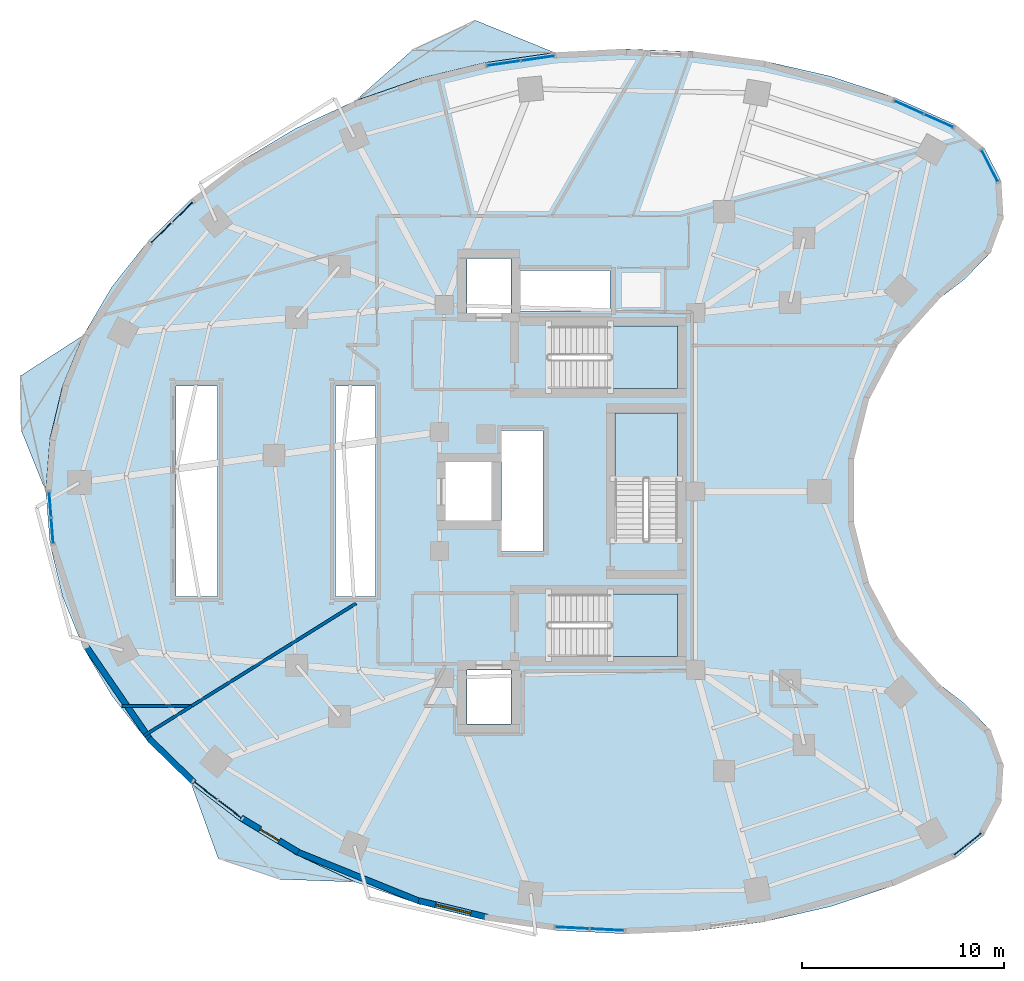
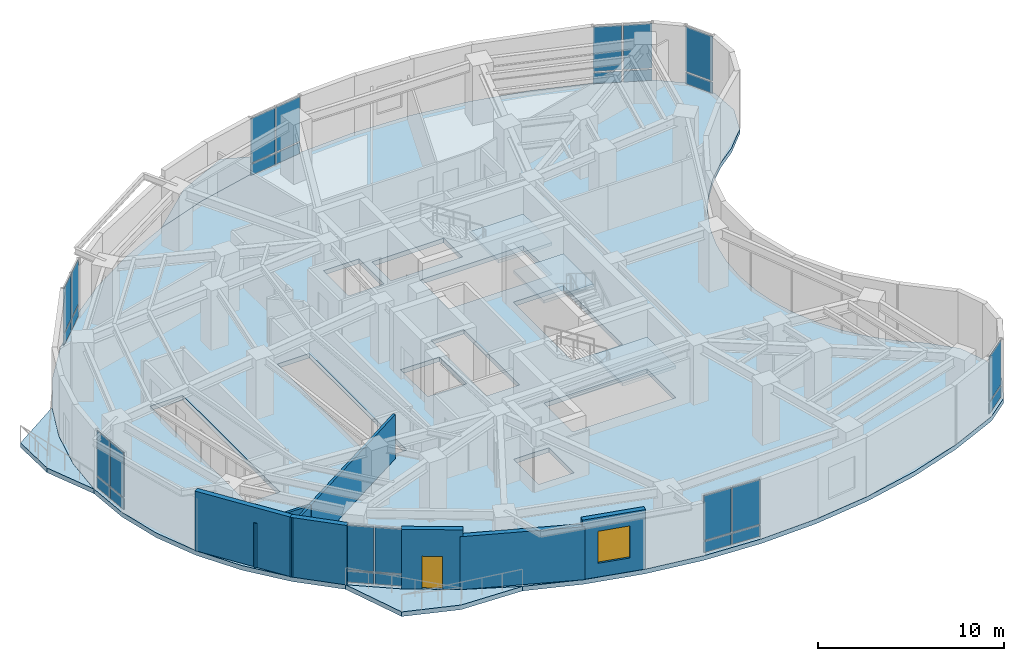
# One storey, part 7 of 12: 28 plates, 8 walls, 7 slabs, 1 door, 1 window, 2 openings, 11 elements without a shape of their own.
"""IFC4 building model written with IfcOpenShell, lengths in metres."""

from ifc_helpers import new_model, si_unit, direction, frame, frame_2d, origin, origin_2d, place, context, subcontext, project, spatial, polyline, rectangle, outline, extrude, material, layer, layer_set, type_object, element, fill, aggregate, save


model = new_model("IFC4")

# Units and contexts
model_context = context("Model", 3, precision=1e-05, world=origin(), true_north=direction((0.0, 1.0)))
body_context = subcontext(model_context, "Body", "Model", "MODEL_VIEW")
ifc_project = project(units=[si_unit("LENGTHUNIT", "METRE"), si_unit("AREAUNIT", "SQUARE_METRE"), si_unit("VOLUMEUNIT", "CUBIC_METRE"), si_unit("PLANEANGLEUNIT", "RADIAN"), si_unit("MASSUNIT", "GRAM", prefix="KILO")], contexts=[model_context])

# Site, building, storey
site_placement = place(None, origin())
site = spatial("IfcSite", under=ifc_project, at=site_placement, CompositionType="ELEMENT")
building_placement = place(site_placement, origin())
building = spatial("IfcBuilding", under=site, at=building_placement, Name="Korentha Bioscience Tower", CompositionType="ELEMENT")
storey_placement = place(building_placement, frame((0.0, 0.0, 136.199951171875)))
storey = spatial("IfcBuildingStorey", under=building, at=storey_placement, Name="L31", CompositionType="ELEMENT", Elevation=136.199951171875)

# Curtain wall, plates
ifc_material_1 = material(Name="Thermally Broken Aluminium Frame", Category="aluminium")
ifc_layer_1 = layer(ifc_material_1, 0.219970703125, Name="Thermally Broken Aluminium Frame")
ifc_layer_set_1 = layer_set([ifc_layer_1], Name="Thermally Broken Aluminium Frame (CW-T1)")
curtain_wall_type = type_object("IfcCurtainWallType", Name="Standard Bioscience Lab Unitised Curtain Wall CW-T1", PredefinedType="USERDEFINED", material=ifc_layer_set_1)
curtain_wall_1_placement = place(storey_placement, origin())
curtain_wall_1 = element("IfcCurtainWall", 1, at=curtain_wall_1_placement, inside=storey, type_object=curtain_wall_type, Name="L31 Curtain Wall 01", ObjectType="UNITISED", PredefinedType="USERDEFINED")
ifc_material_2 = material(Name="Triple-Glazed Low-E Insulated Glass", Category="glass")
ifc_layer_2 = layer(ifc_material_2, 0.0439453125, Name="Triple-Glazed Low-E Insulated Glass")
ifc_layer_set_2 = layer_set([ifc_layer_2], Name="Triple-Glazed Low-E Insulated Glass (GL-44)")
plate_type = type_object("IfcPlateType", Name="Glazed Panel 44mm", PredefinedType="CURTAIN_PANEL", material=ifc_layer_set_2)
plate_1_placement = place(storey_placement, frame((49.61767578125, 45.385986328125, 0.08984375), z_axis=(0.0, 0.0, 1.0), x_axis=(-0.912686563127, 0.408660295952, 0.0)))
plate_1 = element("IfcPlate", 2, at=plate_1_placement, type_object=plate_type, Name="CW-L31-01 Bay 1 Glazed Panel 1", PredefinedType="CURTAIN_PANEL", context=body_context, shape_type="SweptSolid", body=[
    extrude(rectangle(XDim=1.54541015625, YDim=0.0439453125, at=origin_2d()), origin(), (0.0, 0.0, 1.0), 0.715087890625),
])
plate_2_placement = place(storey_placement, frame((49.61767578125, 45.385986328125, 0.89501953125), z_axis=(0.0, 0.0, 1.0), x_axis=(-0.912686563127, 0.408660295952, 0.0)))
plate_2 = element("IfcPlate", 3, at=plate_2_placement, type_object=plate_type, Name="CW-L31-01 Bay 1 Glazed Panel 2", PredefinedType="CURTAIN_PANEL", context=body_context, shape_type="SweptSolid", body=[
    extrude(rectangle(XDim=1.54541015625, YDim=0.0439453125, at=origin_2d()), origin(), (0.0, 0.0, 1.0), 2.9150390625),
])
plate_3_placement = place(storey_placement, frame((48.125, 46.05419921875, 0.08984375), z_axis=(0.0, 0.0, 1.0), x_axis=(-0.912686563127, 0.408660295952, 0.0)))
plate_3 = element("IfcPlate", 4, at=plate_3_placement, type_object=plate_type, Name="CW-L31-01 Bay 2 Glazed Panel 1", PredefinedType="CURTAIN_PANEL", context=body_context, shape_type="SweptSolid", body=[
    extrude(rectangle(XDim=1.54541015625, YDim=0.0439453125, at=origin_2d()), origin(), (0.0, 0.0, 1.0), 0.715087890625),
])
plate_4_placement = place(storey_placement, frame((48.125, 46.05419921875, 0.89501953125), z_axis=(0.0, 0.0, 1.0), x_axis=(-0.912686563127, 0.408660295952, 0.0)))
plate_4 = element("IfcPlate", 5, at=plate_4_placement, type_object=plate_type, Name="CW-L31-01 Bay 2 Glazed Panel 2", PredefinedType="CURTAIN_PANEL", context=body_context, shape_type="SweptSolid", body=[
    extrude(rectangle(XDim=1.54541015625, YDim=0.0439453125, at=origin_2d()), origin(), (0.0, 0.0, 1.0), 2.9150390625),
])
aggregate(curtain_wall_1, [plate_1, plate_2, plate_3, plate_4])

curtain_wall_2_placement = place(storey_placement, origin())
curtain_wall_2 = element("IfcCurtainWall", 6, at=curtain_wall_2_placement, inside=storey, type_object=curtain_wall_type, Name="L31 Curtain Wall 07", ObjectType="UNITISED", PredefinedType="USERDEFINED")
plate_5_placement = place(storey_placement, frame((29.724853515625, 48.486328125, 0.08984375), z_axis=(0.0, 0.0, 1.0), x_axis=(-0.989738282326, -0.14289203091, 0.0)))
plate_5 = element("IfcPlate", 7, at=plate_5_placement, type_object=plate_type, Name="CW-L31-07 Bay 1 Glazed Panel 1", PredefinedType="CURTAIN_PANEL", context=body_context, shape_type="SweptSolid", body=[
    extrude(rectangle(XDim=1.630615234375, YDim=0.0439453125, at=origin_2d()), origin(), (0.0, 0.0, 1.0), 0.715087890625),
])
plate_6_placement = place(storey_placement, frame((29.724853515625, 48.486328125, 0.89501953125), z_axis=(0.0, 0.0, 1.0), x_axis=(-0.989738282326, -0.14289203091, 0.0)))
plate_6 = element("IfcPlate", 8, at=plate_6_placement, type_object=plate_type, Name="CW-L31-07 Bay 1 Glazed Panel 2", PredefinedType="CURTAIN_PANEL", context=body_context, shape_type="SweptSolid", body=[
    extrude(rectangle(XDim=1.630615234375, YDim=0.0439453125, at=origin_2d()), origin(), (0.0, 0.0, 1.0), 2.9150390625),
])
plate_7_placement = place(storey_placement, frame((28.021728515625, 48.240478515625, 0.08984375), z_axis=(0.0, 0.0, 1.0), x_axis=(-0.989738282326, -0.14289203091, 0.0)))
plate_7 = element("IfcPlate", 9, at=plate_7_placement, type_object=plate_type, Name="CW-L31-07 Bay 2 Glazed Panel 1", PredefinedType="CURTAIN_PANEL", context=body_context, shape_type="SweptSolid", body=[
    extrude(rectangle(XDim=1.630615234375, YDim=0.0439453125, at=origin_2d()), origin(), (0.0, 0.0, 1.0), 0.715087890625),
])
plate_8_placement = place(storey_placement, frame((28.021728515625, 48.240478515625, 0.89501953125), z_axis=(0.0, 0.0, 1.0), x_axis=(-0.989738282326, -0.14289203091, 0.0)))
plate_8 = element("IfcPlate", 10, at=plate_8_placement, type_object=plate_type, Name="CW-L31-07 Bay 2 Glazed Panel 2", PredefinedType="CURTAIN_PANEL", context=body_context, shape_type="SweptSolid", body=[
    extrude(rectangle(XDim=1.630615234375, YDim=0.0439453125, at=origin_2d()), origin(), (0.0, 0.0, 1.0), 2.9150390625),
])
aggregate(curtain_wall_2, [plate_5, plate_6, plate_7, plate_8])

curtain_wall_3_placement = place(storey_placement, origin())
curtain_wall_3 = element("IfcCurtainWall", 11, at=curtain_wall_3_placement, inside=storey, type_object=curtain_wall_type, Name="L31 Curtain Wall 13", ObjectType="UNITISED", PredefinedType="USERDEFINED")
plate_9_placement = place(storey_placement, frame((12.09912109375, 40.858642578125, 0.08984375), z_axis=(0.0, 0.0, 1.0), x_axis=(-0.716095631804, -0.698002182025, 0.0)))
plate_9 = element("IfcPlate", 12, at=plate_9_placement, type_object=plate_type, Name="CW-L31-13 Bay 1 Glazed Panel 1", PredefinedType="CURTAIN_PANEL", context=body_context, shape_type="SweptSolid", body=[
    extrude(rectangle(XDim=1.39599609375, YDim=0.0439453125, at=origin_2d()), origin(), (0.0, 0.0, 1.0), 0.715087890625),
])
plate_10_placement = place(storey_placement, frame((12.09912109375, 40.858642578125, 0.89501953125), z_axis=(0.0, 0.0, 1.0), x_axis=(-0.716095631804, -0.698002182025, 0.0)))
plate_10 = element("IfcPlate", 13, at=plate_10_placement, type_object=plate_type, Name="CW-L31-13 Bay 1 Glazed Panel 2", PredefinedType="CURTAIN_PANEL", context=body_context, shape_type="SweptSolid", body=[
    extrude(rectangle(XDim=1.39599609375, YDim=0.0439453125, at=origin_2d()), origin(), (0.0, 0.0, 1.0), 2.9150390625),
])
plate_11_placement = place(storey_placement, frame((11.034912109375, 39.8212890625, 0.08984375), z_axis=(0.0, 0.0, 1.0), x_axis=(-0.716095631804, -0.698002182025, 0.0)))
plate_11 = element("IfcPlate", 14, at=plate_11_placement, type_object=plate_type, Name="CW-L31-13 Bay 2 Glazed Panel 1", PredefinedType="CURTAIN_PANEL", context=body_context, shape_type="SweptSolid", body=[
    extrude(rectangle(XDim=1.39599609375, YDim=0.0439453125, at=origin_2d()), origin(), (0.0, 0.0, 1.0), 0.715087890625),
])
plate_12_placement = place(storey_placement, frame((11.034912109375, 39.8212890625, 0.89501953125), z_axis=(0.0, 0.0, 1.0), x_axis=(-0.716095631804, -0.698002182025, 0.0)))
plate_12 = element("IfcPlate", 15, at=plate_12_placement, type_object=plate_type, Name="CW-L31-13 Bay 2 Glazed Panel 2", PredefinedType="CURTAIN_PANEL", context=body_context, shape_type="SweptSolid", body=[
    extrude(rectangle(XDim=1.39599609375, YDim=0.0439453125, at=origin_2d()), origin(), (0.0, 0.0, 1.0), 2.9150390625),
])
aggregate(curtain_wall_3, [plate_9, plate_10, plate_11, plate_12])

curtain_wall_4_placement = place(storey_placement, origin())
curtain_wall_4 = element("IfcCurtainWall", 16, at=curtain_wall_4_placement, inside=storey, type_object=curtain_wall_type, Name="L31 Curtain Wall 19", ObjectType="UNITISED", PredefinedType="USERDEFINED")
plate_13_placement = place(storey_placement, frame((5.52587890625, 26.35205078125, 0.08984375), z_axis=(0.0, 0.0, 1.0), x_axis=(0.079130214674, -0.996864288219, 0.0)))
plate_13 = element("IfcPlate", 17, at=plate_13_placement, type_object=plate_type, Name="CW-L31-19 Bay 1 Glazed Panel 1", PredefinedType="CURTAIN_PANEL", context=body_context, shape_type="SweptSolid", body=[
    extrude(rectangle(XDim=1.225341796875, YDim=0.0439453125, at=origin_2d()), origin(), (0.0, 0.0, 1.0), 0.715087890625),
])
plate_14_placement = place(storey_placement, frame((5.52587890625, 26.35205078125, 0.89501953125), z_axis=(0.0, 0.0, 1.0), x_axis=(0.079130214674, -0.996864288219, 0.0)))
plate_14 = element("IfcPlate", 18, at=plate_14_placement, type_object=plate_type, Name="CW-L31-19 Bay 1 Glazed Panel 2", PredefinedType="CURTAIN_PANEL", context=body_context, shape_type="SweptSolid", body=[
    extrude(rectangle(XDim=1.225341796875, YDim=0.0439453125, at=origin_2d()), origin(), (0.0, 0.0, 1.0), 2.9150390625),
])
plate_15_placement = place(storey_placement, frame((5.6298828125, 25.040771484375, 0.08984375), z_axis=(0.0, 0.0, 1.0), x_axis=(0.079130214674, -0.996864288219, 0.0)))
plate_15 = element("IfcPlate", 19, at=plate_15_placement, type_object=plate_type, Name="CW-L31-19 Bay 2 Glazed Panel 1", PredefinedType="CURTAIN_PANEL", context=body_context, shape_type="SweptSolid", body=[
    extrude(rectangle(XDim=1.225341796875, YDim=0.0439453125, at=origin_2d()), origin(), (0.0, 0.0, 1.0), 0.715087890625),
])
plate_16_placement = place(storey_placement, frame((5.6298828125, 25.040771484375, 0.89501953125), z_axis=(0.0, 0.0, 1.0), x_axis=(0.079130214674, -0.996864288219, 0.0)))
plate_16 = element("IfcPlate", 20, at=plate_16_placement, type_object=plate_type, Name="CW-L31-19 Bay 2 Glazed Panel 2", PredefinedType="CURTAIN_PANEL", context=body_context, shape_type="SweptSolid", body=[
    extrude(rectangle(XDim=1.225341796875, YDim=0.0439453125, at=origin_2d()), origin(), (0.0, 0.0, 1.0), 2.9150390625),
])
aggregate(curtain_wall_4, [plate_13, plate_14, plate_15, plate_16])

curtain_wall_5_placement = place(storey_placement, origin())
curtain_wall_5 = element("IfcCurtainWall", 21, at=curtain_wall_5_placement, inside=storey, type_object=curtain_wall_type, Name="L31 Curtain Wall 25", ObjectType="UNITISED", PredefinedType="USERDEFINED")
plate_17_placement = place(storey_placement, frame((13.234619140625, 12.162353515625, 0.08984375), z_axis=(0.0, 0.0, 1.0), x_axis=(0.794499603893, -0.607264669986, 0.0)))
plate_17 = element("IfcPlate", 22, at=plate_17_placement, type_object=plate_type, Name="CW-L31-25 Bay 1 Glazed Panel 1", PredefinedType="CURTAIN_PANEL", context=body_context, shape_type="SweptSolid", body=[
    extrude(rectangle(XDim=1.4462890625, YDim=0.0439453125, at=origin_2d()), origin(), (0.0, 0.0, 1.0), 0.715087890625),
])
plate_18_placement = place(storey_placement, frame((13.234619140625, 12.162353515625, 0.89501953125), z_axis=(0.0, 0.0, 1.0), x_axis=(0.794499603893, -0.607264669986, 0.0)))
plate_18 = element("IfcPlate", 23, at=plate_18_placement, type_object=plate_type, Name="CW-L31-25 Bay 1 Glazed Panel 2", PredefinedType="CURTAIN_PANEL", context=body_context, shape_type="SweptSolid", body=[
    extrude(rectangle(XDim=1.4462890625, YDim=0.0439453125, at=origin_2d()), origin(), (0.0, 0.0, 1.0), 2.9150390625),
])
plate_19_placement = place(storey_placement, frame((14.455078125, 11.229248046875, 0.08984375), z_axis=(0.0, 0.0, 1.0), x_axis=(0.794499603893, -0.607264669986, 0.0)))
plate_19 = element("IfcPlate", 24, at=plate_19_placement, type_object=plate_type, Name="CW-L31-25 Bay 2 Glazed Panel 1", PredefinedType="CURTAIN_PANEL", context=body_context, shape_type="SweptSolid", body=[
    extrude(rectangle(XDim=1.4462890625, YDim=0.0439453125, at=origin_2d()), origin(), (0.0, 0.0, 1.0), 0.715087890625),
])
plate_20_placement = place(storey_placement, frame((14.455078125, 11.229248046875, 0.89501953125), z_axis=(0.0, 0.0, 1.0), x_axis=(0.794499603893, -0.607264669986, 0.0)))
plate_20 = element("IfcPlate", 25, at=plate_20_placement, type_object=plate_type, Name="CW-L31-25 Bay 2 Glazed Panel 2", PredefinedType="CURTAIN_PANEL", context=body_context, shape_type="SweptSolid", body=[
    extrude(rectangle(XDim=1.4462890625, YDim=0.0439453125, at=origin_2d()), origin(), (0.0, 0.0, 1.0), 2.9150390625),
])
aggregate(curtain_wall_5, [plate_17, plate_18, plate_19, plate_20])

curtain_wall_6_placement = place(storey_placement, origin())
curtain_wall_6 = element("IfcCurtainWall", 26, at=curtain_wall_6_placement, inside=storey, type_object=curtain_wall_type, Name="L31 Curtain Wall 31", ObjectType="UNITISED", PredefinedType="USERDEFINED")
plate_21_placement = place(storey_placement, frame((31.436279296875, 5.346435546875, 0.08984375), z_axis=(0.0, 0.0, 1.0), x_axis=(0.998673231344, -0.051495407527, 0.0)))
plate_21 = element("IfcPlate", 27, at=plate_21_placement, type_object=plate_type, Name="CW-L31-31 Bay 1 Glazed Panel 1", PredefinedType="CURTAIN_PANEL", context=body_context, shape_type="SweptSolid", body=[
    extrude(rectangle(XDim=1.641845703125, YDim=0.0439453125, at=origin_2d()), origin(), (0.0, 0.0, 1.0), 0.715087890625),
])
plate_22_placement = place(storey_placement, frame((31.436279296875, 5.346435546875, 0.89501953125), z_axis=(0.0, 0.0, 1.0), x_axis=(0.998673231344, -0.051495407527, 0.0)))
plate_22 = element("IfcPlate", 28, at=plate_22_placement, type_object=plate_type, Name="CW-L31-31 Bay 1 Glazed Panel 2", PredefinedType="CURTAIN_PANEL", context=body_context, shape_type="SweptSolid", body=[
    extrude(rectangle(XDim=1.641845703125, YDim=0.0439453125, at=origin_2d()), origin(), (0.0, 0.0, 1.0), 2.9150390625),
])
plate_23_placement = place(storey_placement, frame((33.166015625, 5.25732421875, 0.08984375), z_axis=(0.0, 0.0, 1.0), x_axis=(0.998673231344, -0.051495407527, 0.0)))
plate_23 = element("IfcPlate", 29, at=plate_23_placement, type_object=plate_type, Name="CW-L31-31 Bay 2 Glazed Panel 1", PredefinedType="CURTAIN_PANEL", context=body_context, shape_type="SweptSolid", body=[
    extrude(rectangle(XDim=1.641845703125, YDim=0.0439453125, at=origin_2d()), origin(), (0.0, 0.0, 1.0), 0.715087890625),
])
plate_24_placement = place(storey_placement, frame((33.166015625, 5.25732421875, 0.89501953125), z_axis=(0.0, 0.0, 1.0), x_axis=(0.998673231344, -0.051495407527, 0.0)))
plate_24 = element("IfcPlate", 30, at=plate_24_placement, type_object=plate_type, Name="CW-L31-31 Bay 2 Glazed Panel 2", PredefinedType="CURTAIN_PANEL", context=body_context, shape_type="SweptSolid", body=[
    extrude(rectangle(XDim=1.641845703125, YDim=0.0439453125, at=origin_2d()), origin(), (0.0, 0.0, 1.0), 2.9150390625),
])
aggregate(curtain_wall_6, [plate_21, plate_22, plate_23, plate_24])

curtain_wall_7_placement = place(storey_placement, origin())
curtain_wall_7 = element("IfcCurtainWall", 31, at=curtain_wall_7_placement, inside=storey, type_object=curtain_wall_type, Name="L31 Curtain Wall 37", ObjectType="UNITISED", PredefinedType="USERDEFINED")
plate_25_placement = place(storey_placement, frame((51.04736328125, 9.506591796875, 0.08984375), z_axis=(0.0, 0.0, 1.0), x_axis=(0.777315301098, 0.629111216463, 0.0)))
plate_25 = element("IfcPlate", 32, at=plate_25_placement, type_object=plate_type, Name="CW-L31-37 Bay 1 Glazed Panel 1", PredefinedType="CURTAIN_PANEL", context=body_context, shape_type="SweptSolid", body=[
    extrude(rectangle(XDim=1.737548828125, YDim=0.0439453125, at=origin_2d()), origin(), (0.0, 0.0, 1.0), 0.715087890625),
])
plate_26_placement = place(storey_placement, frame((51.04736328125, 9.506591796875, 0.89501953125), z_axis=(0.0, 0.0, 1.0), x_axis=(0.777315301098, 0.629111216463, 0.0)))
plate_26 = element("IfcPlate", 33, at=plate_26_placement, type_object=plate_type, Name="CW-L31-37 Bay 1 Glazed Panel 2", PredefinedType="CURTAIN_PANEL", context=body_context, shape_type="SweptSolid", body=[
    extrude(rectangle(XDim=1.737548828125, YDim=0.0439453125, at=origin_2d()), origin(), (0.0, 0.0, 1.0), 2.9150390625),
])
aggregate(curtain_wall_7, [plate_25, plate_26])

curtain_wall_8_placement = place(storey_placement, origin())
curtain_wall_8 = element("IfcCurtainWall", 34, at=curtain_wall_8_placement, inside=storey, type_object=curtain_wall_type, Name="L31 Curtain Wall 61", ObjectType="UNITISED", PredefinedType="USERDEFINED")
plate_27_placement = place(storey_placement, frame((52.140380859375, 43.149658203125, 0.08984375), z_axis=(0.0, 0.0, 1.0), x_axis=(-0.457613117169, 0.889151412862, 0.0)))
plate_27 = element("IfcPlate", 35, at=plate_27_placement, type_object=plate_type, Name="CW-L31-61 Bay 1 Glazed Panel 1", PredefinedType="CURTAIN_PANEL", context=body_context, shape_type="SweptSolid", body=[
    extrude(rectangle(XDim=1.737548828125, YDim=0.0439453125, at=origin_2d()), origin(), (0.0, 0.0, 1.0), 0.715087890625),
])
plate_28_placement = place(storey_placement, frame((52.140380859375, 43.149658203125, 0.89501953125), z_axis=(0.0, 0.0, 1.0), x_axis=(-0.457613117169, 0.889151412862, 0.0)))
plate_28 = element("IfcPlate", 36, at=plate_28_placement, type_object=plate_type, Name="CW-L31-61 Bay 1 Glazed Panel 2", PredefinedType="CURTAIN_PANEL", context=body_context, shape_type="SweptSolid", body=[
    extrude(rectangle(XDim=1.737548828125, YDim=0.0439453125, at=origin_2d()), origin(), (0.0, 0.0, 1.0), 2.9150390625),
])
aggregate(curtain_wall_8, [plate_27, plate_28])

# Slab
ifc_material_3 = material(Name="Concrete C50", Category="concrete")
ifc_layer_3 = layer(ifc_material_3, 0.300048828125, Name="Concrete C50")
ifc_layer_set_3 = layer_set([ifc_layer_3], Name="Concrete C50 (SL-L300)")
slab_type_1 = type_object("IfcSlabType", Name="Laboratory Vibration-Controlled Slab 300", PredefinedType="FLOOR", material=ifc_layer_set_3)
slab_1_placement = place(storey_placement, frame((0.0, 0.0, -0.300048828125)))
element("IfcSlab", 37, at=slab_1_placement, inside=storey, type_object=slab_type_1, Name="L31 Tower Structural Floor Slab", PredefinedType="FLOOR", context=body_context, shape_type="SweptSolid", body=[
    extrude(outline(polyline([(50.433837890625, 45.19580078125), (47.439697265625, 46.53662109375), (44.2548828125, 47.59521484375), (40.925537109375, 48.3564453125), (37.5, 48.809326171875), (34.027587890625, 48.947265625), (30.558349609375, 48.7685546875), (27.142333984375, 48.275390625), (23.8291015625, 47.474853515625), (20.66650390625, 46.37890625), (17.69970703125, 45.003173828125), (14.972412109375, 43.367431640625), (12.52294921875, 41.495361328125), (10.3876953125, 39.413818359375), (8.5966796875, 37.1533203125), (7.17626953125, 34.74609375), (6.146484375, 32.22705078125), (5.52294921875, 29.632568359375), (5.31396484375, 27.0), (5.52294921875, 24.367431640625), (6.146484375, 21.77294921875), (7.17626953125, 19.25390625), (8.5966796875, 16.8466796875), (10.3876953125, 14.586181640625), (12.52294921875, 12.504638671875), (14.972412109375, 10.632568359375), (17.69970703125, 8.996826171875), (20.66650390625, 7.62109375), (23.8291015625, 6.525146484375), (27.142333984375, 5.724609375), (30.558349609375, 5.2314453125), (34.027587890625, 5.052734375), (37.5, 5.190673828125), (40.925537109375, 5.6435546875), (44.2548828125, 6.40478515625), (47.439697265625, 7.46337890625), (50.433837890625, 8.80419921875), (51.8623046875, 9.960205078125), (52.703125, 11.593994140625), (52.813720703125, 13.42822265625), (52.175537109375, 15.1513671875), (50.896484375, 16.470703125), (49.666259765625, 17.414794921875), (48.560302734375, 18.501708984375), (47.594970703125, 19.715087890625), (46.78466796875, 21.037353515625), (46.1416015625, 22.448486328125), (45.67529296875, 23.927490234375), (45.392578125, 25.4521484375), (45.298095703125, 27.0), (45.392578125, 28.5478515625), (45.67529296875, 30.072509765625), (46.1416015625, 31.551513671875), (46.78466796875, 32.962646484375), (47.594970703125, 34.284912109375), (48.560302734375, 35.498291015625), (49.666259765625, 36.585205078125), (50.896484375, 37.529296875), (52.175537109375, 38.8486328125), (52.813720703125, 40.57177734375), (52.703125, 42.406005859375), (51.8623046875, 44.039794921875), (50.433837890625, 45.19580078125)]), holes=[polyline([(30.25, 32.10009765625), (36.64990234375, 32.10009765625), (36.64990234375, 35.199951171875), (30.25, 35.199951171875), (30.25, 32.10009765625)]), polyline([(30.25, 18.800048828125), (36.64990234375, 18.800048828125), (36.64990234375, 21.89990234375), (30.25, 21.89990234375), (30.25, 18.800048828125)]), polyline([(36.64990234375, 24.550048828125), (36.64990234375, 30.89990234375), (33.550048828125, 30.89990234375), (33.550048828125, 24.550048828125), (36.64990234375, 24.550048828125)]), polyline([(11.780029296875, 21.780029296875), (13.820068359375, 21.780029296875), (13.820068359375, 32.219970703125), (11.780029296875, 32.219970703125), (11.780029296875, 21.780029296875)]), polyline([(19.679931640625, 21.780029296875), (21.669921875, 21.780029296875), (21.669921875, 32.219970703125), (19.679931640625, 32.219970703125), (19.679931640625, 21.780029296875)]), polyline([(27.929931640625, 24.030029296875), (29.969970703125, 24.030029296875), (29.969970703125, 30.02001953125), (27.929931640625, 30.02001953125), (27.929931640625, 24.030029296875)]), polyline([(28.860107421875, 35.93994140625), (33.31005859375, 35.93994140625), (33.31005859375, 37.9599609375), (28.860107421875, 37.9599609375), (28.860107421875, 35.93994140625)]), polyline([(26.199951171875, 15.449951171875), (28.39990234375, 15.449951171875), (28.39990234375, 18.14990234375), (26.199951171875, 18.14990234375), (26.199951171875, 15.449951171875)]), polyline([(26.199951171875, 35.85009765625), (28.39990234375, 35.85009765625), (28.39990234375, 38.550048828125), (26.199951171875, 38.550048828125), (26.199951171875, 35.85009765625)]), polyline([(25.14990234375, 25.550048828125), (27.550048828125, 25.550048828125), (27.550048828125, 28.449951171875), (25.14990234375, 28.449951171875), (25.14990234375, 25.550048828125)])]), origin(), (0.0, 0.0, 1.0), 0.300048828125),
])

# Stair, slab
ifc_material_4 = material(Name="Precast Concrete C50", Category="concrete")
stair_type = type_object("IfcStairType", Name="Core Exit Dog-Leg Stair 1450", PredefinedType="HALF_TURN_STAIR", material=ifc_material_4)
stair_1_placement = place(storey_placement, origin())
stair_1 = element("IfcStair", 38, at=stair_1_placement, inside=storey, type_object=stair_type, Name="L31 Tower North Pressurized Exit Stair ST-1", PredefinedType="HALF_TURN_STAIR")
ifc_layer_4 = layer(ifc_material_3, 0.199951171875, Name="Concrete C50")
ifc_layer_set_4 = layer_set([ifc_layer_4], Name="Concrete C50 (SL-LND)")
slab_type_2 = type_object("IfcSlabType", Name="Landing Slab 200", PredefinedType="LANDING", material=ifc_layer_set_4)
slab_2_placement = place(storey_placement, frame((0.0, 0.0, 1.900146484375)))
slab_2 = element("IfcSlab", 39, at=slab_2_placement, type_object=slab_type_2, Name="ST-1 landing 1", PredefinedType="LANDING", context=body_context, shape_type="SweptSolid", body=[
    extrude(outline(polyline([(33.330078125, 32.10009765625), (36.64990234375, 32.10009765625), (36.64990234375, 35.199951171875), (33.330078125, 35.199951171875), (33.330078125, 32.10009765625)])), origin(), (0.0, 0.0, 1.0), 0.199951171875),
])
aggregate(stair_1, [slab_2])

stair_2_placement = place(storey_placement, origin())
stair_2 = element("IfcStair", 40, at=stair_2_placement, inside=storey, type_object=stair_type, Name="L31 Tower South Pressurized Exit Stair ST-2", PredefinedType="HALF_TURN_STAIR")
slab_3_placement = place(storey_placement, frame((0.0, 0.0, 1.900146484375)))
slab_3 = element("IfcSlab", 41, at=slab_3_placement, type_object=slab_type_2, Name="ST-2 landing 1", PredefinedType="LANDING", context=body_context, shape_type="SweptSolid", body=[
    extrude(outline(polyline([(33.330078125, 18.800048828125), (36.64990234375, 18.800048828125), (36.64990234375, 21.89990234375), (33.330078125, 21.89990234375), (33.330078125, 18.800048828125)])), origin(), (0.0, 0.0, 1.0), 0.199951171875),
])
aggregate(stair_2, [slab_3])

stair_3_placement = place(storey_placement, origin())
stair_3 = element("IfcStair", 42, at=stair_3_placement, inside=storey, type_object=stair_type, Name="L31 Tower Central Pressurized Exit Stair ST-3", PredefinedType="HALF_TURN_STAIR")
slab_4_placement = place(storey_placement, frame((0.0, 0.0, 1.900146484375)))
slab_4 = element("IfcSlab", 43, at=slab_4_placement, type_object=slab_type_2, Name="ST-3 landing 1", PredefinedType="LANDING", context=body_context, shape_type="SweptSolid", body=[
    extrude(outline(polyline([(36.64990234375, 27.6298828125), (36.64990234375, 30.89990234375), (33.550048828125, 30.89990234375), (33.550048828125, 27.6298828125), (36.64990234375, 27.6298828125)])), origin(), (0.0, 0.0, 1.0), 0.199951171875),
])
aggregate(stair_3, [slab_4])

# Slabs
ifc_layer_5 = layer(ifc_material_3, 0.300048828125, Name="Concrete C50")
ifc_layer_set_5 = layer_set([ifc_layer_5], Name="Concrete C50 (BS-240)")
slab_type_3 = type_object("IfcSlabType", Name="Sawtooth Sun-Ledge Balcony Slab 240", PredefinedType="USERDEFINED", material=ifc_layer_set_5)
slab_5_placement = place(storey_placement, frame((0.0, 0.0, -0.300048828125)))
element("IfcSlab", 44, at=slab_5_placement, inside=storey, type_object=slab_type_3, Name="L31 Sun-Ledge Balcony 01", ObjectType="BALCONY", PredefinedType="USERDEFINED", context=body_context, shape_type="SweptSolid", body=[
    extrude(outline(polyline([(20.66650390625, 46.37890625), (23.8291015625, 47.474853515625), (27.142333984375, 48.275390625), (30.558349609375, 48.7685546875), (26.637451171875, 50.365234375), (23.48876953125, 48.884521484375), (20.66650390625, 46.37890625)])), origin(), (0.0, 0.0, 1.0), 0.300048828125),
])
slab_6_placement = place(storey_placement, frame((0.0, 0.0, -0.300048828125)))
element("IfcSlab", 45, at=slab_6_placement, inside=storey, type_object=slab_type_3, Name="L31 Sun-Ledge Balcony 02", ObjectType="BALCONY", PredefinedType="USERDEFINED", context=body_context, shape_type="SweptSolid", body=[
    extrude(outline(polyline([(5.31396484375, 27.0), (5.52294921875, 29.632568359375), (6.146484375, 32.22705078125), (7.17626953125, 34.74609375), (4.05615234375, 32.729736328125), (4.113037109375, 29.971435546875), (5.31396484375, 27.0)])), origin(), (0.0, 0.0, 1.0), 0.300048828125),
])
slab_7_placement = place(storey_placement, frame((0.0, 0.0, -0.300048828125)))
element("IfcSlab", 46, at=slab_7_placement, inside=storey, type_object=slab_type_3, Name="L31 Sun-Ledge Balcony 03", ObjectType="BALCONY", PredefinedType="USERDEFINED", context=body_context, shape_type="SweptSolid", body=[
    extrude(outline(polyline([(20.66650390625, 7.62109375), (17.69970703125, 8.996826171875), (14.972412109375, 10.632568359375), (12.52294921875, 12.504638671875), (13.866455078125, 8.788818359375), (16.9541015625, 7.75341796875), (20.66650390625, 7.62109375)])), origin(), (0.0, 0.0, 1.0), 0.300048828125),
])

# Walls
ifc_material_5 = material(Name="Double-Stud Acoustic Gypsum", Category="gypsum")
ifc_layer_6 = layer(ifc_material_5, 0.14990234375, Name="Double-Stud Acoustic Gypsum")
ifc_layer_set_6 = layer_set([ifc_layer_6], Name="Double-Stud Acoustic Gypsum (IW-L150)")
wall_type_1 = type_object("IfcWallType", Name="Acoustic Laboratory Partition Wall 150", PredefinedType="PARTITIONING", material=ifc_layer_set_6)
wall_1_placement = place(storey_placement, frame((10.184326171875, 14.877685546875, 0.0), z_axis=(0.0, 0.0, 1.0), x_axis=(0.848388222263, 0.529374559576, 0.0)))
element("IfcWall", 47, at=wall_1_placement, inside=storey, type_object=wall_type_1, Name="L31 Interior Partition 011", PredefinedType="PARTITIONING", context=body_context, shape_type="SweptSolid", body=[
    extrude(rectangle(XDim=2.77734375, YDim=0.14990234375, at=frame_2d((1.388671875, 0.0))), origin(), (0.0, 0.0, 1.0), 2.91015625),
])
wall_2_placement = place(storey_placement, frame((12.547119140625, 16.35205078125, 0.0), z_axis=(0.0, 0.0, 1.0), x_axis=(0.848383394499, 0.529382296585, 0.0)))
element("IfcWall", 48, at=wall_2_placement, inside=storey, type_object=wall_type_1, Name="L31 Interior Partition 012", PredefinedType="PARTITIONING", context=body_context, shape_type="SweptSolid", body=[
    extrude(rectangle(XDim=9.611083984375, YDim=0.14990234375, at=frame_2d((4.8056640625, 0.0))), origin(), (0.0, 0.0, 1.0), 2.91015625),
])
wall_3_placement = place(storey_placement, frame((12.528076171875, 16.35205078125, 0.0), z_axis=(0.0, 0.0, 1.0), x_axis=(-1.0, 0.0, 0.0)))
element("IfcWall", 49, at=wall_3_placement, inside=storey, type_object=wall_type_1, Name="L31 Interior Partition 043", PredefinedType="PARTITIONING", context=body_context, shape_type="SweptSolid", body=[
    extrude(rectangle(XDim=3.439453125, YDim=0.14990234375, at=frame_2d((1.7197265625, 0.0))), origin(), (0.0, 0.0, 1.0), 2.91015625),
])

# Wall, opening, door
ifc_material_6 = material(Name="Honed Limestone Precast Concrete C40", Category="masonry")
ifc_layer_7 = layer(ifc_material_6, 0.300048828125, Name="Honed Limestone Precast Concrete C40")
ifc_layer_set_7 = layer_set([ifc_layer_7], Name="Honed Limestone Precast Concrete C40 (EW-ST300)")
wall_type_2 = type_object("IfcWallType", Name="Honed Limestone Cavity Spandrel Wall 300", PredefinedType="STANDARD", material=ifc_layer_set_7)
wall_4_placement = place(storey_placement, frame((15.003173828125, 10.80078125, 0.0), z_axis=(0.0, 0.0, 1.0), x_axis=(0.85758429223, -0.514343447242, 0.0)))
wall_4 = element("IfcWall", 50, at=wall_4_placement, inside=storey, type_object=wall_type_2, Name="L31 Balcony Threshold Wall 03", PredefinedType="STANDARD", context=body_context, shape_type="SweptSolid", body=[
    extrude(rectangle(XDim=3.30029296875, YDim=0.300048828125, at=frame_2d((1.650146484375, 0.0))), origin(), (0.0, 0.0, 1.0), 3.900146484375),
])
opening_1_placement = place(wall_4_placement, frame((1.10009765625, 0.0, 0.0)))
opening_1 = element("IfcOpeningElement", 51, at=opening_1_placement, cuts=wall_4, Name="Opening BD-11L", PredefinedType="OPENING", context=body_context, shape_type="SweptSolid", body=[
    extrude(rectangle(XDim=1.10009765625, YDim=2.14990234375, at=frame_2d((0.550048828125, 1.074951171875))), frame((0.0, 0.1650390625, 0.0), z_axis=(0.0, -1.0, 0.0), x_axis=(1.0, 0.0, 0.0)), (0.0, 0.0, 1.0), 0.329833984375),
])
ifc_material_7 = material(Name="Thermally Broken Glazed Aluminium", Category="aluminium")
door_type = type_object("IfcDoorType", Name="Balcony Terrace Glazed Door 1100x2150 Left", OperationType="SINGLE_SWING_LEFT", PredefinedType="DOOR", material=ifc_material_7)
door_placement = place(opening_1_placement, origin())
door = element("IfcDoor", 52, at=door_placement, inside=storey, type_object=door_type, Name="L31 Balcony Access Door 03", OperationType="SINGLE_SWING_LEFT", OverallHeight=2.14990234375, OverallWidth=1.10009765625, PredefinedType="DOOR", context=body_context, shape_type="SweptSolid", body=[
    extrude(rectangle(XDim=1.10009765625, YDim=2.14990234375, at=frame_2d((0.550048828125, 1.074951171875))), frame((0.0, 0.02490234375, 0.0), z_axis=(0.0, -1.0, 0.0), x_axis=(1.0, 0.0, 0.0)), (0.0, 0.0, 1.0), 0.050048828125),
])
fill(opening_1, door)

# Wall, opening, window
wall_5_placement = place(storey_placement, frame((23.80859375, 6.694580078125, 0.0), z_axis=(0.0, 0.0, 1.0), x_axis=(0.972049000874, -0.234778065203, 0.0)))
wall_5 = element("IfcWall", 53, at=wall_5_placement, inside=storey, type_object=wall_type_2, Name="L31 Honed Limestone Spandrel Wall 29", PredefinedType="STANDARD", context=body_context, shape_type="SweptSolid", body=[
    extrude(rectangle(XDim=3.5283203125, YDim=0.300048828125, at=frame_2d((1.76416015625, 0.0))), origin(), (0.0, 0.0, 1.0), 3.900146484375),
])
opening_2_placement = place(wall_5_placement, frame((0.8642578125, 0.0, 0.89990234375)))
opening_2 = element("IfcOpeningElement", 54, at=opening_2_placement, cuts=wall_5, Name="Opening WN-01", PredefinedType="OPENING", context=body_context, shape_type="SweptSolid", body=[
    extrude(rectangle(XDim=1.800048828125, YDim=2.10009765625, at=frame_2d((0.89990234375, 1.050048828125))), frame((0.0, 0.1650390625, 0.0), z_axis=(0.0, -1.0, 0.0), x_axis=(1.0, 0.0, 0.0)), (0.0, 0.0, 1.0), 0.329833984375),
])
ifc_material_8 = material(Name="Thermally Broken Aluminium Triple Glazing", Category="aluminium")
window_type = type_object("IfcWindowType", Name="Triple-Glazed Fixed Bioscience Window 1800x2100", PartitioningType="SINGLE_PANEL", PredefinedType="WINDOW", material=ifc_material_8)
window_placement = place(opening_2_placement, origin())
window = element("IfcWindow", 55, at=window_placement, inside=storey, type_object=window_type, Name="L31 Facade Window 29", OverallHeight=2.10009765625, OverallWidth=1.800048828125, PartitioningType="SINGLE_PANEL", PredefinedType="WINDOW", context=body_context, shape_type="SweptSolid", body=[
    extrude(rectangle(XDim=1.800048828125, YDim=2.10009765625, at=frame_2d((0.89990234375, 1.050048828125))), frame((0.0, 0.030029296875, 0.0), z_axis=(0.0, -1.0, 0.0), x_axis=(1.0, 0.0, 0.0)), (0.0, 0.0, 1.0), 0.06005859375),
])
fill(opening_2, window)

# Walls
wall_6_placement = place(storey_placement, frame((7.24609375, 19.399169921875, 0.0), z_axis=(0.0, 0.0, 1.0), x_axis=(0.566825798999, -0.823837674296, 0.0)))
element("IfcWall", 56, at=wall_6_placement, inside=storey, type_object=wall_type_2, Name="L31 Limestone Perimeter Closure Wall 22", PredefinedType="STANDARD", context=body_context, shape_type="SweptSolid", body=[
    extrude(rectangle(XDim=5.825927734375, YDim=0.300048828125, at=frame_2d((2.9130859375, 0.0))), origin(), (0.0, 0.0, 1.0), 3.900146484375),
])
wall_7_placement = place(storey_placement, frame((10.427978515625, 14.7421875, 0.0), z_axis=(0.0, 0.0, 1.0), x_axis=(0.716101112291, -0.69799655943, 0.0)))
element("IfcWall", 57, at=wall_7_placement, inside=storey, type_object=wall_type_2, Name="L31 Limestone Perimeter Closure Wall 24", PredefinedType="STANDARD", context=body_context, shape_type="SweptSolid", body=[
    extrude(rectangle(XDim=3.14208984375, YDim=0.300048828125, at=frame_2d((1.571044921875, 0.0))), origin(), (0.0, 0.0, 1.0), 3.900146484375),
])
wall_8_placement = place(storey_placement, frame((17.677978515625, 9.15673828125, 0.0), z_axis=(0.0, 0.0, 1.0), x_axis=(0.927423312416, -0.374013368194, 0.0)))
element("IfcWall", 58, at=wall_8_placement, inside=storey, type_object=wall_type_2, Name="L31 Limestone Perimeter Closure Wall 27", PredefinedType="STANDARD", context=body_context, shape_type="SweptSolid", body=[
    extrude(rectangle(XDim=6.76904296875, YDim=0.300048828125, at=frame_2d((3.384521484375, 0.0))), origin(), (0.0, 0.0, 1.0), 3.469970703125),
])

save(model, "model.ifc")
